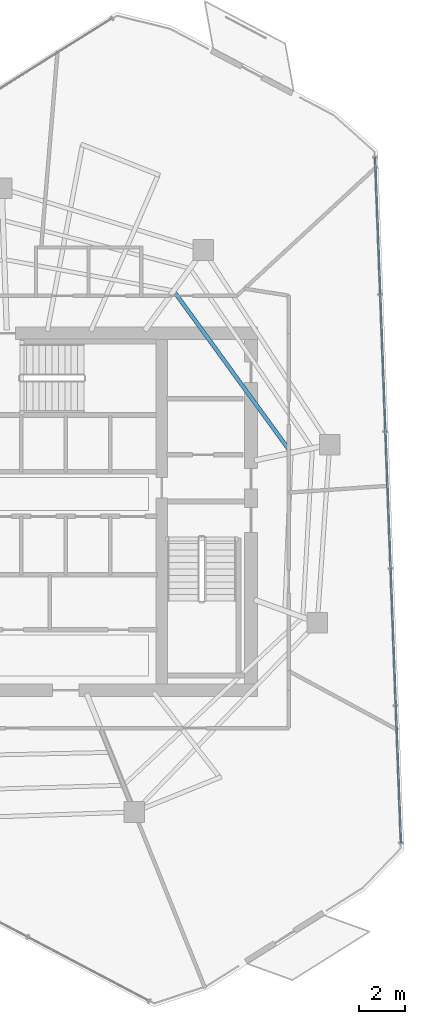
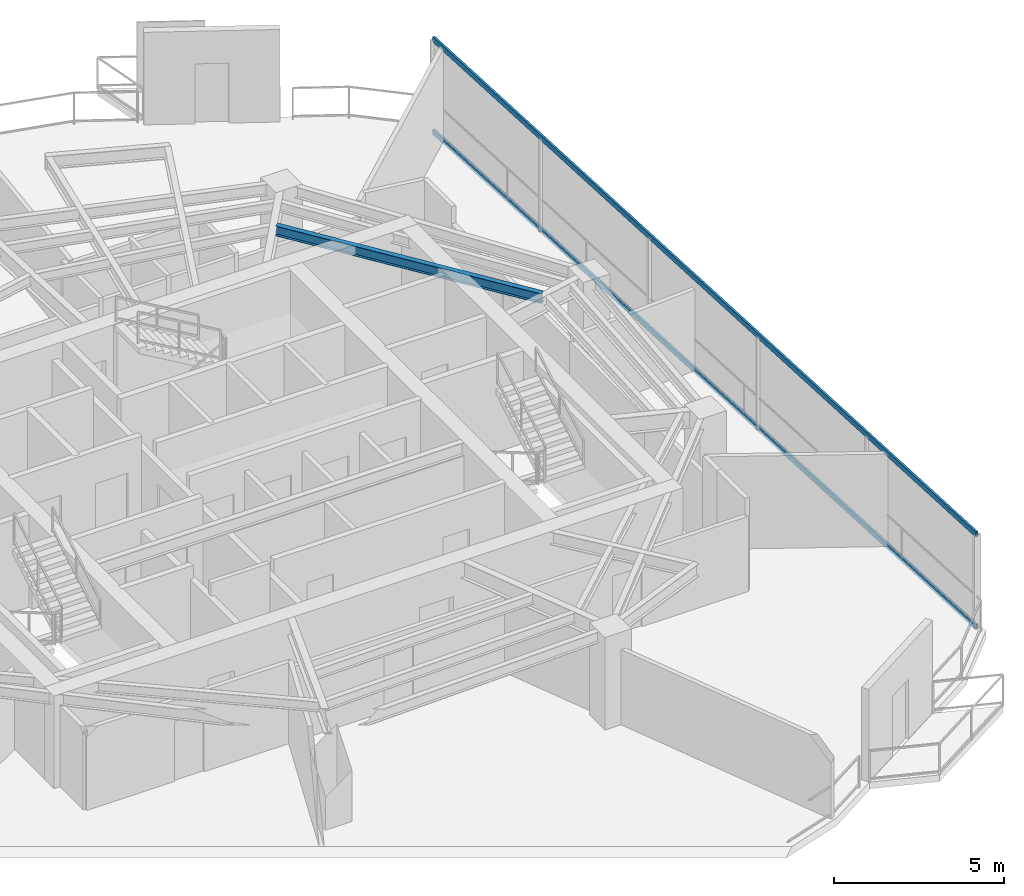
# One storey, part 8 of 19: 2 members, 1 beam, 1 element without a shape of its own.
"""IFC4 building model written with IfcOpenShell, lengths in metres."""

import ifcopenshell
import ifcopenshell.guid

model = None  # the IFC model being written
_history = None  # IfcOwnerHistory: only IFC2X3 demands one
_inside = {}  # id of a spatial element -> (the spatial element, [elements in it])
_under = {}  # id of a project, library or spatial element -> (it, [spatial elements below it])
_declared = {}  # id of a project -> (the project, [libraries it declares])
_typed = {}  # id of a type object -> (the type object, [elements of that type])
_made_of = {}  # id of a material, layer set ... -> (it, [elements and type objects made of it])


def new_model(schema):
    """Start an empty IFC model of exactly this schema.

    Asked for "IFC4X3", IfcOpenShell would pick the latest addendum, in which some entities
    have other attributes; the version numbers below select the first issue.
    IFC2X3 requires an IfcOwnerHistory on every rooted entity: one is made here for all.
    """
    global model, _history
    if schema == "IFC4X3":
        model = ifcopenshell.file(schema_version=(4, 3, 0, 0))
    else:
        model = ifcopenshell.file(schema=schema)
    _inside.clear()
    _under.clear()
    _declared.clear()
    _typed.clear()
    _made_of.clear()
    _history = None
    if model.schema == "IFC2X3":
        org = make("IfcOrganization", Name="unknown")
        user = make(
            "IfcPersonAndOrganization",
            ThePerson=make("IfcPerson", FamilyName="unknown"),
            TheOrganization=org,
        )
        app = make(
            "IfcApplication",
            ApplicationDeveloper=org,
            Version="unknown",
            ApplicationFullName="unknown",
            ApplicationIdentifier="unknown",
        )
        _history = make(
            "IfcOwnerHistory",
            OwningUser=user,
            OwningApplication=app,
            ChangeAction="ADDED",
            CreationDate=0,
        )
    return model


def make(cls, **values):
    """One entity of the class cls with the attributes given. An attribute that is None is left unset."""
    return model.create_entity(
        cls, **{name: value for name, value in values.items() if value is not None}
    )


def rooted(cls, **values):
    """An entity with a GlobalId (a new one), such as an element, a storey or a relation."""
    return make(cls, GlobalId=ifcopenshell.guid.new(), OwnerHistory=_history, **values)


def si_unit(unit_type, name, prefix=None):
    """IfcSIUnit, for example si_unit("LENGTHUNIT", "METRE", prefix="MILLI")."""
    return make("IfcSIUnit", UnitType=unit_type, Prefix=prefix, Name=name)


def assignment(units):
    """IfcUnitAssignment: the units of a project."""
    return None if units is None else make("IfcUnitAssignment", Units=units)


def point(xyz):
    """IfcCartesianPoint."""
    return None if xyz is None else make("IfcCartesianPoint", Coordinates=xyz)


def direction(xyz):
    """IfcDirection."""
    return None if xyz is None else make("IfcDirection", DirectionRatios=xyz)


def frame(location, z_axis=None, x_axis=None):
    """IfcAxis2Placement3D, a coordinate frame: its origin and axes. An axis left out is left unset."""
    return make(
        "IfcAxis2Placement3D",
        Location=point(location),
        Axis=direction(z_axis),
        RefDirection=direction(x_axis),
    )


def frame_2d(location, x_axis=None):
    """IfcAxis2Placement2D, a coordinate frame in the plane: its origin and x axis."""
    return make(
        "IfcAxis2Placement2D", Location=point(location), RefDirection=direction(x_axis)
    )


def origin():
    """The frame at (0, 0, 0) with its axes left unset."""
    return frame((0.0, 0.0, 0.0))


def origin_2d():
    """The frame at (0, 0) in the plane with its x axis left unset."""
    return frame_2d((0.0, 0.0))


def place(relative_to, where):
    """IfcLocalPlacement: puts the frame where relative to a parent placement (None: the world)."""
    return make(
        "IfcLocalPlacement", PlacementRelTo=relative_to, RelativePlacement=where
    )


def context(
    kind, dimensions, precision=None, world=None, true_north=None, identifier=None
):
    """IfcGeometricRepresentationContext, for example the 3D "Model" context."""
    return make(
        "IfcGeometricRepresentationContext",
        ContextIdentifier=identifier,
        ContextType=kind,
        CoordinateSpaceDimension=dimensions,
        Precision=precision,
        WorldCoordinateSystem=world,
        TrueNorth=true_north,
    )


def subcontext(parent, identifier, kind, view, scale=None):
    """IfcGeometricRepresentationSubContext, for example "Body" below "Model"."""
    return make(
        "IfcGeometricRepresentationSubContext",
        ContextIdentifier=identifier,
        ContextType=kind,
        ParentContext=parent,
        TargetScale=scale,
        TargetView=view,
    )


def project(units=None, contexts=None):
    """IfcProject with its units and contexts."""
    return rooted(
        "IfcProject",
        Name="project",
        RepresentationContexts=contexts,
        UnitsInContext=assignment(units),
    )


def spatial(cls, under=None, at=None, **own):
    """A site, building, storey or space (cls), placed at a placement, below another one or the project."""
    s = rooted(cls, ObjectPlacement=at, **own)
    if under is not None:
        _under.setdefault(under.id(), (under, []))[1].append(s)
    return s


def profile(cls, at=None, kind="AREA", **sizes):
    """A parametric profile (cls). Its sizes go by their IFC names, for example OverallWidth=200.0."""
    return make(cls, ProfileType=kind, Position=at, **sizes)


def hollow_rectangle(**sizes):
    """IfcRectangleHollowProfileDef."""
    return profile("IfcRectangleHollowProfileDef", **sizes)


def i_section(**sizes):
    """IfcIShapeProfileDef."""
    return profile("IfcIShapeProfileDef", **sizes)


def extrude(swept, where, along, depth):
    """IfcExtrudedAreaSolid: the profile swept, set in the frame where, extruded along a direction by depth."""
    return make(
        "IfcExtrudedAreaSolid",
        SweptArea=swept,
        Position=where,
        ExtrudedDirection=direction(along),
        Depth=depth,
    )


def shape(context_of_items, identifier, shape_type, items):
    """IfcShapeRepresentation: the items that make up one representation, for example the "Body"."""
    return make(
        "IfcShapeRepresentation",
        ContextOfItems=context_of_items,
        RepresentationIdentifier=identifier,
        RepresentationType=shape_type,
        Items=items,
    )


def material(Name=None, Category=None):
    """IfcMaterial."""
    return make("IfcMaterial", Name=Name, Category=Category)


def layer(
    of_material, thickness, ventilated=None, Name=None, Category=None, Priority=None
):
    """IfcMaterialLayer: one layer of a wall or slab, of a material (None: an air gap)."""
    return make(
        "IfcMaterialLayer",
        Material=of_material,
        LayerThickness=thickness,
        IsVentilated=ventilated,
        Name=Name,
        Category=Category,
        Priority=Priority,
    )


def layer_set(layers, Name=None):
    """IfcMaterialLayerSet."""
    return make("IfcMaterialLayerSet", MaterialLayers=layers, LayerSetName=Name)


def material_profile(
    of_material, cross_section, Name=None, Category=None, Priority=None
):
    """IfcMaterialProfile: a cross section and its material."""
    return make(
        "IfcMaterialProfile",
        Name=Name,
        Material=of_material,
        Profile=cross_section,
        Priority=Priority,
        Category=Category,
    )


def profile_set(profiles, Name=None, composite=None):
    """IfcMaterialProfileSet."""
    return make(
        "IfcMaterialProfileSet",
        Name=Name,
        MaterialProfiles=profiles,
        CompositeProfile=composite,
    )


def made_of(thing, what):
    """Note that an element or type object is made of a material, layer set ...; save() writes the relation."""
    if what is not None:
        _made_of.setdefault(what.id(), (what, []))[1].append(thing)
    return thing


def type_object(cls, material=None, **own):
    """A type object (cls), such as IfcWallType, which elements share."""
    return made_of(rooted(cls, **own), material)


def element(
    cls,
    number,
    at=None,
    inside=None,
    cuts=None,
    type_object=None,
    material=None,
    context=None,
    identifier="Body",
    shape_type=None,
    held_by="IfcProductDefinitionShape",
    body=None,
    shapes=None,
    **own,
):
    """One element of the class cls, such as IfcWall. Its Tag is "e" and its number.

    at: its placement. inside: the storey or other place that contains it. cuts: it is an
    opening in that element (IfcRelVoidsElement). A single representation is given by context,
    identifier, shape_type and body (its items); several are given by shapes. held_by: the class
    of the entity that holds the representations. save() writes the other relations.
    """
    e = rooted(cls, Tag="e%d" % number, ObjectPlacement=at, **own)
    if body is not None:
        shapes = [shape(context, identifier, shape_type, body)]
    if shapes is not None:
        e.Representation = make(held_by, Representations=shapes)
    if inside is not None:
        _inside.setdefault(inside.id(), (inside, []))[1].append(e)
    if cuts is not None:
        rooted(
            "IfcRelVoidsElement", RelatingBuildingElement=cuts, RelatedOpeningElement=e
        )
    if type_object is not None:
        _typed.setdefault(type_object.id(), (type_object, []))[1].append(e)
    return made_of(e, material)


def aggregate(whole, parts):
    """IfcRelAggregates: a whole, such as a stair, and the parts it consists of."""
    return rooted("IfcRelAggregates", RelatingObject=whole, RelatedObjects=parts)


def save(model, path):
    """Write the relations noted so far, then the file.

    IfcRelAggregates (storeys below a building ...), IfcRelContainedInSpatialStructure (elements
    in a storey), IfcRelDefinesByType, IfcRelAssociatesMaterial and IfcRelDeclares: one each for
    every whole, place, type object, material and project.
    """
    for whole, parts in _under.values():
        aggregate(whole, parts)
    for where, things in _inside.values():
        rooted(
            "IfcRelContainedInSpatialStructure",
            RelatedElements=things,
            RelatingStructure=where,
        )
    for kind, things in _typed.values():
        rooted("IfcRelDefinesByType", RelatedObjects=things, RelatingType=kind)
    for what, things in _made_of.values():
        rooted("IfcRelAssociatesMaterial", RelatedObjects=things, RelatingMaterial=what)
    for by, libraries in _declared.values():
        rooted("IfcRelDeclares", RelatingContext=by, RelatedDefinitions=libraries)
    model.write(path)


model = new_model("IFC4")

# Units and contexts
model_context = context("Model", 3, precision=1e-05, world=origin(), true_north=direction((0.0, 1.0)))
body_context = subcontext(model_context, "Body", "Model", "MODEL_VIEW")
ifc_project = project(units=[si_unit("LENGTHUNIT", "METRE"), si_unit("AREAUNIT", "SQUARE_METRE"), si_unit("VOLUMEUNIT", "CUBIC_METRE"), si_unit("PLANEANGLEUNIT", "RADIAN"), si_unit("MASSUNIT", "GRAM", prefix="KILO")], contexts=[model_context])

# Site, building, storey
site_placement = place(None, origin())
site = spatial("IfcSite", under=ifc_project, at=site_placement, CompositionType="ELEMENT")
building_placement = place(site_placement, origin())
building = spatial("IfcBuilding", under=site, at=building_placement, Name="Qarnah Convention Tower", CompositionType="ELEMENT")
storey_placement = place(building_placement, frame((0.0, 0.0, 187.800048828125)))
storey = spatial("IfcBuildingStorey", under=building, at=storey_placement, Name="L50", CompositionType="ELEMENT", Elevation=187.800048828125)

# Beam
ifc_material_1 = material(Name="Structural steel S355JR", Category="steel")
ifc_material_profile_1 = material_profile(ifc_material_1, i_section(OverallWidth=0.172119140625, OverallDepth=0.35595703125, WebThickness=0.007080078125, FlangeThickness=0.011962890625, at=origin_2d()), Name="W360X51")
ifc_profile_set_1 = profile_set([ifc_material_profile_1], Name="Structural steel S355JR")
beam_type = type_object("IfcBeamType", Name="BM-JST-W360", PredefinedType="JOIST", material=ifc_profile_set_1)
beam_placement = place(storey_placement, frame((49.302001953125, 29.056884765625, 3.141845703125), z_axis=(-0.587474793176, 0.809242465138, 0.0), x_axis=(-0.809242465138, -0.587474793176, 0.0)))
element("IfcBeam", 1, at=beam_placement, inside=storey, type_object=beam_type, Name="L50 joist BM-L50-IJST-01", PredefinedType="JOIST", context=body_context, shape_type="SweptSolid", body=[
    extrude(i_section(OverallWidth=0.172119140625, OverallDepth=0.35595703125, WebThickness=0.007080078125, FlangeThickness=0.011962890625, at=origin_2d()), origin(), (0.0, 0.0, 1.0), 8.563720703125),
])

# Curtain wall, members
ifc_material_2 = material(Name="Tempered Low-E dark glass", Category="glass")
ifc_layer = layer(ifc_material_2, 0.174072265625)
ifc_layer_set = layer_set([ifc_layer], Name="Tempered Low-E dark glass")
curtain_wall_type = type_object("IfcCurtainWallType", Name="CWS-04", PredefinedType="NOTDEFINED", material=ifc_layer_set)
curtain_wall_placement = place(storey_placement, origin())
curtain_wall = element("IfcCurtainWall", 2, at=curtain_wall_placement, inside=storey, type_object=curtain_wall_type, Name="L50 unitised curtain wall CW-L50-F1", PredefinedType="NOTDEFINED")
ifc_material_3 = material(Name="Black anodised aluminium", Category="aluminium")
ifc_material_profile_2 = material_profile(ifc_material_3, hollow_rectangle(XDim=0.074951171875, YDim=0.18994140625, WallThickness=0.0048828125, at=origin_2d()), Name="TRN-75X190")
ifc_profile_set_2 = profile_set([ifc_material_profile_2], Name="Black anodised aluminium")
member_type = type_object("IfcMemberType", Name="TRN-T4", PredefinedType="USERDEFINED", material=ifc_profile_set_2)
member_1_placement = place(storey_placement, frame((53.02490234375, 41.904052734375, 0.0), z_axis=(0.037713150854, -0.999288606086, 0.0), x_axis=(0.999288606086, 0.037713150854, 0.0)))
member_1 = element("IfcMember", 3, at=member_1_placement, type_object=member_type, Name="CW-L50-F1 transom 1", ObjectType="TRANSOM", PredefinedType="USERDEFINED", context=body_context, shape_type="SweptSolid", body=[
    extrude(hollow_rectangle(XDim=0.074951171875, YDim=0.18994140625, WallThickness=0.0048828125, at=origin_2d()), origin(), (0.0, 0.0, 1.0), 29.9921875),
])
member_2_placement = place(storey_placement, frame((53.02490234375, 41.904052734375, 3.320068359375), z_axis=(0.037713150854, -0.999288606086, 0.0), x_axis=(0.999288606086, 0.037713150854, 0.0)))
member_2 = element("IfcMember", 4, at=member_2_placement, type_object=member_type, Name="CW-L50-F1 transom 2", ObjectType="TRANSOM", PredefinedType="USERDEFINED", context=body_context, shape_type="SweptSolid", body=[
    extrude(hollow_rectangle(XDim=0.074951171875, YDim=0.18994140625, WallThickness=0.0048828125, at=origin_2d()), origin(), (0.0, 0.0, 1.0), 29.9921875),
])
aggregate(curtain_wall, [member_1, member_2])

save(model, "model.ifc")
